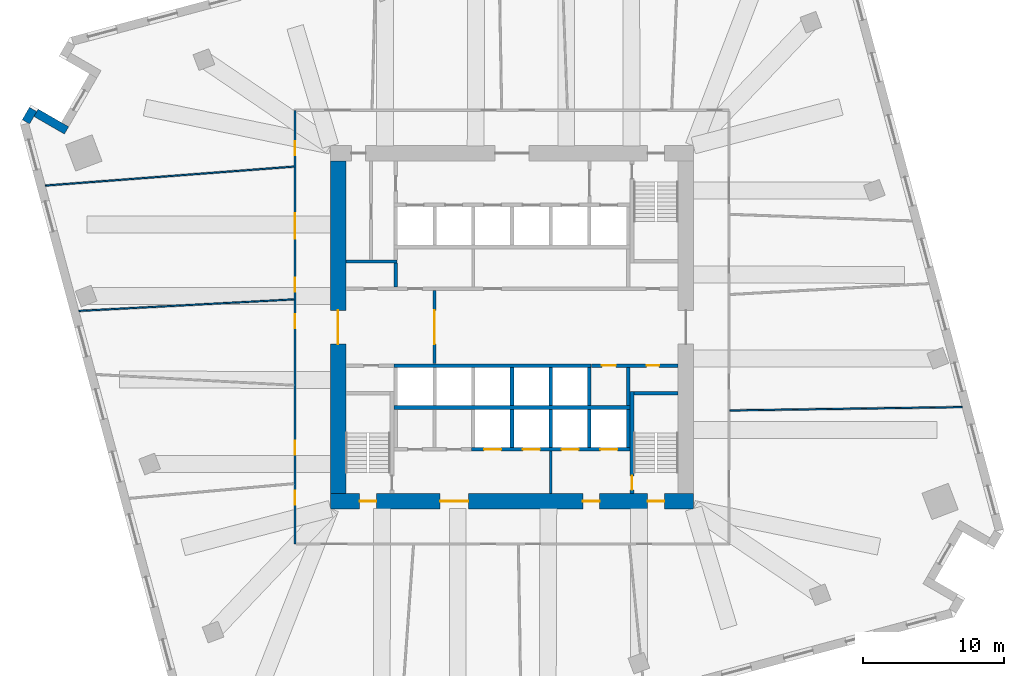
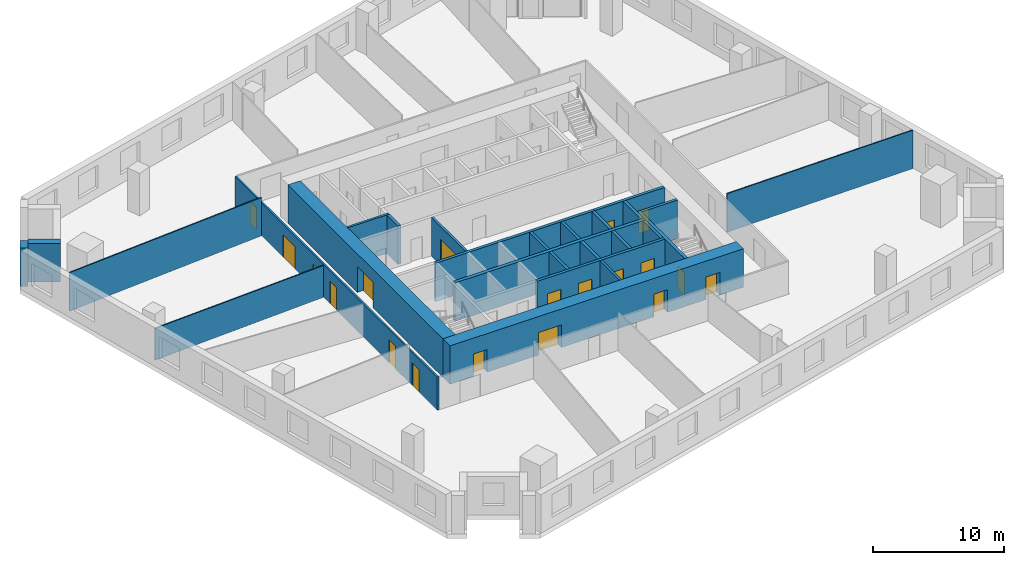
# One storey, part 5 of 11: 26 walls, 19 doors, 19 openings.
"""IFC4 building model written with IfcOpenShell, lengths in metres."""

from ifc_helpers import new_model, si_unit, direction, frame, frame_2d, origin, place, context, subcontext, project, spatial, rectangle, extrude, material, layer, layer_set, type_object, element, fill, save


model = new_model("IFC4")

# Units and contexts
model_context = context("Model", 3, precision=1e-05, world=origin(), true_north=direction((0.0, 1.0)))
body_context = subcontext(model_context, "Body", "Model", "MODEL_VIEW")
ifc_project = project(units=[si_unit("LENGTHUNIT", "METRE"), si_unit("AREAUNIT", "SQUARE_METRE"), si_unit("VOLUMEUNIT", "CUBIC_METRE"), si_unit("PLANEANGLEUNIT", "RADIAN"), si_unit("MASSUNIT", "GRAM", prefix="KILO")], contexts=[model_context])

# Site, building, storey
site_placement = place(None, origin())
site = spatial("IfcSite", under=ifc_project, at=site_placement, CompositionType="ELEMENT")
building_placement = place(site_placement, origin())
building = spatial("IfcBuilding", under=site, at=building_placement, Name="Dilmun Exchange Tower", CompositionType="ELEMENT")
storey_placement = place(building_placement, frame((0.0, 0.0, 82.10009765625)))
storey = spatial("IfcBuildingStorey", under=building, at=storey_placement, Name="L18", CompositionType="ELEMENT", Elevation=82.10009765625)

# Wall
ifc_material_1 = material(Name="Concrete C40/50", Category="concrete")
ifc_layer_1 = layer(ifc_material_1, 0.199951171875)
ifc_layer_set_1 = layer_set([ifc_layer_1], Name="Concrete C40/50")
wall_type_1 = type_object("IfcWallType", Name="Core partition wall 200", PredefinedType="PARTITIONING", material=ifc_layer_set_1)
wall_1_placement = place(storey_placement, frame((2.75, -11.794921875, 0.0), z_axis=(0.0, 0.0, 1.0), x_axis=(0.0, 1.0, 0.0)))
element("IfcWall", 1, at=wall_1_placement, inside=storey, type_object=wall_type_1, Name="L18 core partition wall 01", PredefinedType="PARTITIONING", context=body_context, shape_type="SweptSolid", body=[
    extrude(rectangle(XDim=2.989990234375, YDim=0.199951171875, at=frame_2d((1.4951171875, 0.0))), origin(), (0.0, 0.0, 1.0), 3.579833984375),
])

# Wall, opening, door
wall_2_placement = place(storey_placement, frame((-5.5, -2.594970703125, 0.0), z_axis=(0.0, 0.0, 1.0), x_axis=(0.0, 1.0, 0.0)))
wall_2 = element("IfcWall", 2, at=wall_2_placement, inside=storey, type_object=wall_type_1, Name="L18 core partition wall 08", PredefinedType="PARTITIONING", context=body_context, shape_type="SweptSolid", body=[
    extrude(rectangle(XDim=5.18994140625, YDim=0.199951171875, at=frame_2d((2.594970703125, 0.0))), origin(), (0.0, 0.0, 1.0), 3.579833984375),
])
opening_1_placement = place(wall_2_placement, frame((1.39501953125, 0.0, 0.0)))
opening_1 = element("IfcOpeningElement", 3, at=opening_1_placement, cuts=wall_2, Name="Opening CD1", PredefinedType="OPENING", context=body_context, shape_type="SweptSolid", body=[
    extrude(rectangle(XDim=2.39990234375, YDim=2.39990234375, at=frame_2d((1.199951171875, 1.199951171875))), frame((0.0, 0.10986328125, 0.0), z_axis=(0.0, -1.0, 0.0), x_axis=(1.0, 0.0, 0.0)), (0.0, 0.0, 1.0), 0.219970703125),
])
ifc_material_2 = material(Name="Fire-rated steel door set", Category="steel")
door_type_1 = type_object("IfcDoorType", Name="Core lobby door 2400x2400", OperationType="DOUBLE_DOOR_DOUBLE_SWING", PredefinedType="DOOR", material=ifc_material_2)
door_1_placement = place(opening_1_placement, origin())
door_1 = element("IfcDoor", 4, at=door_1_placement, inside=storey, type_object=door_type_1, Name="L18 door Lift lobby east", OperationType="SINGLE_SWING_LEFT", OverallHeight=2.39990234375, OverallWidth=2.39990234375, PredefinedType="DOOR", context=body_context, shape_type="SweptSolid", body=[
    extrude(rectangle(XDim=2.39990234375, YDim=2.39990234375, at=frame_2d((1.199951171875, 1.199951171875))), frame((0.0, 0.02490234375, 0.0), z_axis=(0.0, -1.0, 0.0), x_axis=(1.0, 0.0, 0.0)), (0.0, 0.0, 1.0), 0.050048828125),
])
fill(opening_1, door_1)

# Walls
wall_3_placement = place(storey_placement, frame((-11.794921875, 4.675048828125, 0.0), z_axis=(0.0, 0.0, 1.0), x_axis=(1.0, 0.0, 0.0)))
element("IfcWall", 5, at=wall_3_placement, inside=storey, type_object=wall_type_1, Name="L18 core partition wall 13", PredefinedType="PARTITIONING", context=body_context, shape_type="SweptSolid", body=[
    extrude(rectangle(XDim=3.64501953125, YDim=0.199951171875, at=frame_2d((1.822509765625, 0.0))), origin(), (0.0, 0.0, 1.0), 3.579833984375),
])
ifc_layer_2 = layer(ifc_material_1, 0.25)
ifc_layer_set_2 = layer_set([ifc_layer_2], Name="Concrete C40/50")
wall_type_2 = type_object("IfcWallType", Name="Core partition wall 250", PredefinedType="PARTITIONING", material=ifc_layer_set_2)
wall_4_placement = place(storey_placement, frame((8.25, -5.544921875, 0.0), z_axis=(0.0, 0.0, 1.0), x_axis=(0.0, 1.0, 0.0)))
element("IfcWall", 6, at=wall_4_placement, inside=storey, type_object=wall_type_2, Name="L18 core partition wall 05", PredefinedType="PARTITIONING", context=body_context, shape_type="SweptSolid", body=[
    extrude(rectangle(XDim=2.68994140625, YDim=0.25, at=frame_2d((1.344970703125, 0.0))), origin(), (0.0, 0.0, 1.0), 3.579833984375),
])

# Wall, openings, doors
wall_5_placement = place(storey_placement, frame((5.6298828125, -2.72509765625, 0.0), z_axis=(0.0, 0.0, 1.0), x_axis=(1.0, 0.0, 0.0)))
wall_5 = element("IfcWall", 7, at=wall_5_placement, inside=storey, type_object=wall_type_2, Name="L18 core partition wall 07", PredefinedType="PARTITIONING", context=body_context, shape_type="SweptSolid", body=[
    extrude(rectangle(XDim=6.1650390625, YDim=0.25, at=frame_2d((3.08251953125, 0.0))), origin(), (0.0, 0.0, 1.0), 3.579833984375),
])
opening_2_placement = place(wall_5_placement, frame((0.7451171875, 0.0, 0.0)))
opening_2 = element("IfcOpeningElement", 8, at=opening_2_placement, cuts=wall_5, Name="Opening CD4", PredefinedType="OPENING", context=body_context, shape_type="SweptSolid", body=[
    extrude(rectangle(XDim=1.0, YDim=2.10009765625, at=frame_2d((0.5, 1.050048828125))), frame((0.0, 0.135009765625, 0.0), z_axis=(0.0, -1.0, 0.0), x_axis=(1.0, 0.0, 0.0)), (0.0, 0.0, 1.0), 0.27001953125),
])
opening_3_placement = place(wall_5_placement, frame((3.919921875, 0.0, 0.0)))
opening_3 = element("IfcOpeningElement", 9, at=opening_3_placement, cuts=wall_5, Name="Opening CD6", PredefinedType="OPENING", context=body_context, shape_type="SweptSolid", body=[
    extrude(rectangle(XDim=0.89990234375, YDim=2.10009765625, at=frame_2d((0.449951171875, 1.050048828125))), frame((0.0, 0.135009765625, 0.0), z_axis=(0.0, -1.0, 0.0), x_axis=(1.0, 0.0, 0.0)), (0.0, 0.0, 1.0), 0.27001953125),
])
door_type_2 = type_object("IfcDoorType", Name="Core room door 1000x2100", OperationType="SINGLE_SWING_LEFT", PredefinedType="DOOR", material=ifc_material_2)
door_2_placement = place(opening_2_placement, origin())
door_2 = element("IfcDoor", 10, at=door_2_placement, inside=storey, type_object=door_type_2, Name="L18 door Cleaners' store", OperationType="SINGLE_SWING_LEFT", OverallHeight=2.10009765625, OverallWidth=1.0, PredefinedType="DOOR", context=body_context, shape_type="SweptSolid", body=[
    extrude(rectangle(XDim=1.0, YDim=2.10009765625, at=frame_2d((0.5, 1.050048828125))), frame((0.0, 0.02490234375, 0.0), z_axis=(0.0, -1.0, 0.0), x_axis=(1.0, 0.0, 0.0)), (0.0, 0.0, 1.0), 0.050048828125),
])
fill(opening_2, door_2)
door_type_3 = type_object("IfcDoorType", Name="Core room door 900x2100", OperationType="SINGLE_SWING_LEFT", PredefinedType="DOOR", material=ifc_material_2)
door_3_placement = place(opening_3_placement, origin())
door_3 = element("IfcDoor", 11, at=door_3_placement, inside=storey, type_object=door_type_3, Name="L18 door Comms riser", OperationType="SINGLE_SWING_LEFT", OverallHeight=2.10009765625, OverallWidth=0.89990234375, PredefinedType="DOOR", context=body_context, shape_type="SweptSolid", body=[
    extrude(rectangle(XDim=0.89990234375, YDim=2.10009765625, at=frame_2d((0.449951171875, 1.050048828125))), frame((0.0, 0.02490234375, 0.0), z_axis=(0.0, -1.0, 0.0), x_axis=(1.0, 0.0, 0.0)), (0.0, 0.0, 1.0), 0.050048828125),
])
fill(opening_3, door_3)

# Wall
wall_6_placement = place(storey_placement, frame((-8.25, 2.85498046875, 0.0), z_axis=(0.0, 0.0, 1.0), x_axis=(0.0, 1.0, 0.0)))
element("IfcWall", 12, at=wall_6_placement, inside=storey, type_object=wall_type_2, Name="L18 core partition wall 10", PredefinedType="PARTITIONING", context=body_context, shape_type="SweptSolid", body=[
    extrude(rectangle(XDim=1.715087890625, YDim=0.25, at=frame_2d((0.857421875, 0.0))), origin(), (0.0, 0.0, 1.0), 3.579833984375),
])

# Wall, openings, doors
ifc_material_3 = material(Name="Concrete C80/95", Category="concrete")
ifc_layer_3 = layer(ifc_material_3, 1.10009765625)
ifc_layer_set_3 = layer_set([ifc_layer_3], Name="Concrete C80/95")
wall_type_3 = type_object("IfcWallType", Name="Core shear wall 1100 Concrete C80/95", PredefinedType="SHEAR", material=ifc_layer_set_3)
wall_7_placement = place(storey_placement, frame((-12.89990234375, -12.35009765625, 0.0), z_axis=(0.0, 0.0, 1.0), x_axis=(1.0, 0.0, 0.0)))
wall_7 = element("IfcWall", 13, at=wall_7_placement, inside=storey, type_object=wall_type_3, Name="L18 core shear wall S", PredefinedType="SHEAR", context=body_context, shape_type="SweptSolid", body=[
    extrude(rectangle(XDim=25.7998046875, YDim=1.10009765625, at=frame_2d((12.89990234375, 0.0))), origin(), (0.0, 0.0, 1.0), 3.579833984375),
])
opening_4_placement = place(wall_7_placement, frame((7.800048828125, 0.0, 0.0)))
opening_4 = element("IfcOpeningElement", 14, at=opening_4_placement, cuts=wall_7, Name="Opening CD2", PredefinedType="OPENING", context=body_context, shape_type="SweptSolid", body=[
    extrude(rectangle(XDim=2.0, YDim=2.10009765625, at=frame_2d((1.0, 1.050048828125))), frame((0.0, 0.56005859375, 0.0), z_axis=(0.0, -1.0, 0.0), x_axis=(1.0, 0.0, 0.0)), (0.0, 0.0, 1.0), 1.1201171875),
])
opening_5_placement = place(wall_7_placement, frame((17.925048828125, 0.0, 0.0)))
opening_5 = element("IfcOpeningElement", 15, at=opening_5_placement, cuts=wall_7, Name="Opening CD3", PredefinedType="OPENING", context=body_context, shape_type="SweptSolid", body=[
    extrude(rectangle(XDim=1.199951171875, YDim=2.10009765625, at=frame_2d((0.60009765625, 1.050048828125))), frame((0.0, 0.56005859375, 0.0), z_axis=(0.0, -1.0, 0.0), x_axis=(1.0, 0.0, 0.0)), (0.0, 0.0, 1.0), 1.1201171875),
])
opening_6_placement = place(wall_7_placement, frame((2.074951171875, 0.0, 0.0)))
opening_6 = element("IfcOpeningElement", 16, at=opening_6_placement, cuts=wall_7, Name="Opening CD3", PredefinedType="OPENING", context=body_context, shape_type="SweptSolid", body=[
    extrude(rectangle(XDim=1.199951171875, YDim=2.10009765625, at=frame_2d((0.60009765625, 1.050048828125))), frame((0.0, 0.56005859375, 0.0), z_axis=(0.0, -1.0, 0.0), x_axis=(1.0, 0.0, 0.0)), (0.0, 0.0, 1.0), 1.1201171875),
])
opening_7_placement = place(wall_7_placement, frame((22.52490234375, 0.0, 0.0)))
opening_7 = element("IfcOpeningElement", 17, at=opening_7_placement, cuts=wall_7, Name="Opening CD3", PredefinedType="OPENING", context=body_context, shape_type="SweptSolid", body=[
    extrude(rectangle(XDim=1.199951171875, YDim=2.10009765625, at=frame_2d((0.60009765625, 1.050048828125))), frame((0.0, 0.56005859375, 0.0), z_axis=(0.0, -1.0, 0.0), x_axis=(1.0, 0.0, 0.0)), (0.0, 0.0, 1.0), 1.1201171875),
])
door_type_4 = type_object("IfcDoorType", Name="Core service door 2000x2100", OperationType="DOUBLE_DOOR_DOUBLE_SWING", PredefinedType="DOOR", material=ifc_material_2)
door_4_placement = place(opening_4_placement, origin())
door_4 = element("IfcDoor", 18, at=door_4_placement, inside=storey, type_object=door_type_4, Name="L18 door South service lobby", OperationType="SINGLE_SWING_LEFT", OverallHeight=2.10009765625, OverallWidth=2.0, PredefinedType="DOOR", context=body_context, shape_type="SweptSolid", body=[
    extrude(rectangle(XDim=2.0, YDim=2.10009765625, at=frame_2d((1.0, 1.050048828125))), frame((0.0, 0.02490234375, 0.0), z_axis=(0.0, -1.0, 0.0), x_axis=(1.0, 0.0, 0.0)), (0.0, 0.0, 1.0), 0.050048828125),
])
fill(opening_4, door_4)
door_type_5 = type_object("IfcDoorType", Name="Stair exit door 1200x2100", OperationType="SINGLE_SWING_LEFT", PredefinedType="DOOR", material=ifc_material_2)
door_5_placement = place(opening_5_placement, origin())
door_5 = element("IfcDoor", 19, at=door_5_placement, inside=storey, type_object=door_type_5, Name="L18 door Fire-fighting lobby", OperationType="SINGLE_SWING_LEFT", OverallHeight=2.10009765625, OverallWidth=1.199951171875, PredefinedType="DOOR", context=body_context, shape_type="SweptSolid", body=[
    extrude(rectangle(XDim=1.199951171875, YDim=2.10009765625, at=frame_2d((0.60009765625, 1.050048828125))), frame((0.0, 0.02490234375, 0.0), z_axis=(0.0, -1.0, 0.0), x_axis=(1.0, 0.0, 0.0)), (0.0, 0.0, 1.0), 0.050048828125),
])
fill(opening_5, door_5)
door_6_placement = place(opening_6_placement, origin())
door_6 = element("IfcDoor", 20, at=door_6_placement, inside=storey, type_object=door_type_5, Name="L18 door Stair ST2", OperationType="SINGLE_SWING_LEFT", OverallHeight=2.10009765625, OverallWidth=1.199951171875, PredefinedType="DOOR", context=body_context, shape_type="SweptSolid", body=[
    extrude(rectangle(XDim=1.199951171875, YDim=2.10009765625, at=frame_2d((0.60009765625, 1.050048828125))), frame((0.0, 0.02490234375, 0.0), z_axis=(0.0, -1.0, 0.0), x_axis=(1.0, 0.0, 0.0)), (0.0, 0.0, 1.0), 0.050048828125),
])
fill(opening_6, door_6)
door_7_placement = place(opening_7_placement, origin())
door_7 = element("IfcDoor", 21, at=door_7_placement, inside=storey, type_object=door_type_5, Name="L18 door Stair ST3", OperationType="SINGLE_SWING_LEFT", OverallHeight=2.10009765625, OverallWidth=1.199951171875, PredefinedType="DOOR", context=body_context, shape_type="SweptSolid", body=[
    extrude(rectangle(XDim=1.199951171875, YDim=2.10009765625, at=frame_2d((0.60009765625, 1.050048828125))), frame((0.0, 0.02490234375, 0.0), z_axis=(0.0, -1.0, 0.0), x_axis=(1.0, 0.0, 0.0)), (0.0, 0.0, 1.0), 0.050048828125),
])
fill(opening_7, door_7)

# Wall, opening, door
wall_8_placement = place(storey_placement, frame((-12.35009765625, -11.800048828125, 0.0), z_axis=(0.0, 0.0, 1.0), x_axis=(0.0, 1.0, 0.0)))
wall_8 = element("IfcWall", 22, at=wall_8_placement, inside=storey, type_object=wall_type_3, Name="L18 core shear wall W", PredefinedType="SHEAR", context=body_context, shape_type="SweptSolid", body=[
    extrude(rectangle(XDim=23.60009765625, YDim=1.10009765625, at=frame_2d((11.800048828125, 0.0))), origin(), (0.0, 0.0, 1.0), 3.579833984375),
])
opening_8_placement = place(wall_8_placement, frame((10.60009765625, 0.0, 0.0)))
opening_8 = element("IfcOpeningElement", 23, at=opening_8_placement, cuts=wall_8, Name="Opening CD1", PredefinedType="OPENING", context=body_context, shape_type="SweptSolid", body=[
    extrude(rectangle(XDim=2.39990234375, YDim=2.39990234375, at=frame_2d((1.199951171875, 1.199951171875))), frame((0.0, 0.56005859375, 0.0), z_axis=(0.0, -1.0, 0.0), x_axis=(1.0, 0.0, 0.0)), (0.0, 0.0, 1.0), 1.1201171875),
])
door_8_placement = place(opening_8_placement, origin())
door_8 = element("IfcDoor", 24, at=door_8_placement, inside=storey, type_object=door_type_1, Name="L18 door Central lift lobby", OperationType="SINGLE_SWING_LEFT", OverallHeight=2.39990234375, OverallWidth=2.39990234375, PredefinedType="DOOR", context=body_context, shape_type="SweptSolid", body=[
    extrude(rectangle(XDim=2.39990234375, YDim=2.39990234375, at=frame_2d((1.199951171875, 1.199951171875))), frame((0.0, 0.02490234375, 0.0), z_axis=(0.0, -1.0, 0.0), x_axis=(1.0, 0.0, 0.0)), (0.0, 0.0, 1.0), 0.050048828125),
])
fill(opening_8, door_8)

# Wall, openings, doors
ifc_material_4 = material(Name="Corridor wall 150")
ifc_layer_4 = layer(ifc_material_4, 0.14990234375)
ifc_layer_set_4 = layer_set([ifc_layer_4], Name="Corridor wall 150")
wall_type_4 = type_object("IfcWallType", Name="Corridor wall 150", PredefinedType="PARTITIONING", material=ifc_layer_set_4)
wall_9_placement = place(storey_placement, frame((-15.39990234375, -15.39990234375, 0.0), z_axis=(0.0, 0.0, 1.0), x_axis=(0.0, 1.0, 0.0)))
wall_9 = element("IfcWall", 25, at=wall_9_placement, inside=storey, type_object=wall_type_4, Name="Corridor wall", PredefinedType="PARTITIONING", context=body_context, shape_type="SweptSolid", body=[
    extrude(rectangle(XDim=30.7998046875, YDim=0.14990234375, at=frame_2d((15.39990234375, 0.0))), origin(), (0.0, 0.0, 1.0), 3.079833984375),
])
opening_9_placement = place(wall_9_placement, frame((21.677001953125, 0.0, 0.0)))
opening_9 = element("IfcOpeningElement", 26, at=opening_9_placement, cuts=wall_9, Name="Opening TF18-D01", PredefinedType="OPENING", context=body_context, shape_type="SweptSolid", body=[
    extrude(rectangle(XDim=1.800048828125, YDim=2.10009765625, at=frame_2d((0.89990234375, 1.050048828125))), frame((0.0, 0.0849609375, 0.0), z_axis=(0.0, -1.0, 0.0), x_axis=(1.0, 0.0, 0.0)), (0.0, 0.0, 1.0), 0.169921875),
])
opening_10_placement = place(wall_9_placement, frame((17.927001953125, 0.0, 0.0)))
opening_10 = element("IfcOpeningElement", 27, at=opening_10_placement, cuts=wall_9, Name="Opening TF18-D02", PredefinedType="OPENING", context=body_context, shape_type="SweptSolid", body=[
    extrude(rectangle(XDim=1.0, YDim=2.10009765625, at=frame_2d((0.5, 1.050048828125))), frame((0.0, 0.0849609375, 0.0), z_axis=(0.0, -1.0, 0.0), x_axis=(1.0, 0.0, 0.0)), (0.0, 0.0, 1.0), 0.169921875),
])
opening_11_placement = place(wall_9_placement, frame((15.32177734375, 0.0, 0.0)))
opening_11 = element("IfcOpeningElement", 28, at=opening_11_placement, cuts=wall_9, Name="Opening TF18-D03", PredefinedType="OPENING", context=body_context, shape_type="SweptSolid", body=[
    extrude(rectangle(XDim=1.0, YDim=2.10009765625, at=frame_2d((0.5, 1.050048828125))), frame((0.0, 0.0849609375, 0.0), z_axis=(0.0, -1.0, 0.0), x_axis=(1.0, 0.0, 0.0)), (0.0, 0.0, 1.0), 0.169921875),
])
opening_12_placement = place(wall_9_placement, frame((6.34765625, 0.0, 0.0)))
opening_12 = element("IfcOpeningElement", 29, at=opening_12_placement, cuts=wall_9, Name="Opening TF18-D04", PredefinedType="OPENING", context=body_context, shape_type="SweptSolid", body=[
    extrude(rectangle(XDim=1.0, YDim=2.10009765625, at=frame_2d((0.5, 1.050048828125))), frame((0.0, 0.0849609375, 0.0), z_axis=(0.0, -1.0, 0.0), x_axis=(1.0, 0.0, 0.0)), (0.0, 0.0, 1.0), 0.169921875),
])
opening_13_placement = place(wall_9_placement, frame((27.605224609375, 0.0, 0.0)))
opening_13 = element("IfcOpeningElement", 30, at=opening_13_placement, cuts=wall_9, Name="Opening TF18-D06", PredefinedType="OPENING", context=body_context, shape_type="SweptSolid", body=[
    extrude(rectangle(XDim=1.0, YDim=2.10009765625, at=frame_2d((0.5, 1.050048828125))), frame((0.0, 0.0849609375, 0.0), z_axis=(0.0, -1.0, 0.0), x_axis=(1.0, 0.0, 0.0)), (0.0, 0.0, 1.0), 0.169921875),
])
opening_14_placement = place(wall_9_placement, frame((2.800048828125, 0.0, 0.0)))
opening_14 = element("IfcOpeningElement", 31, at=opening_14_placement, cuts=wall_9, Name="Opening TF18-D08", PredefinedType="OPENING", context=body_context, shape_type="SweptSolid", body=[
    extrude(rectangle(XDim=1.0, YDim=2.10009765625, at=frame_2d((0.5, 1.050048828125))), frame((0.0, 0.0849609375, 0.0), z_axis=(0.0, -1.0, 0.0), x_axis=(1.0, 0.0, 0.0)), (0.0, 0.0, 1.0), 0.169921875),
])
ifc_material_5 = material(Name="Fire door 1000 x 2100")
door_type_6 = type_object("IfcDoorType", Name="Fire door 1000 x 2100", OperationType="NOTDEFINED", PredefinedType="DOOR", material=ifc_material_5)
door_9_placement = place(opening_10_placement, origin())
door_9 = element("IfcDoor", 32, at=door_9_placement, inside=storey, type_object=door_type_6, Name="Door TF18-D02", OperationType="SINGLE_SWING_RIGHT", OverallHeight=2.10009765625, OverallWidth=1.0, PredefinedType="DOOR", context=body_context, shape_type="SweptSolid", body=[
    extrude(rectangle(XDim=1.0, YDim=2.10009765625, at=frame_2d((0.5, 1.050048828125))), frame((0.0, 0.02490234375, 0.0), z_axis=(0.0, -1.0, 0.0), x_axis=(1.0, 0.0, 0.0)), (0.0, 0.0, 1.0), 0.050048828125),
])
fill(opening_10, door_9)
door_10_placement = place(opening_11_placement, origin())
door_10 = element("IfcDoor", 33, at=door_10_placement, inside=storey, type_object=door_type_6, Name="Door TF18-D03", OperationType="SINGLE_SWING_LEFT", OverallHeight=2.10009765625, OverallWidth=1.0, PredefinedType="DOOR", context=body_context, shape_type="SweptSolid", body=[
    extrude(rectangle(XDim=1.0, YDim=2.10009765625, at=frame_2d((0.5, 1.050048828125))), frame((0.0, 0.02490234375, 0.0), z_axis=(0.0, -1.0, 0.0), x_axis=(1.0, 0.0, 0.0)), (0.0, 0.0, 1.0), 0.050048828125),
])
fill(opening_11, door_10)
door_11_placement = place(opening_12_placement, origin())
door_11 = element("IfcDoor", 34, at=door_11_placement, inside=storey, type_object=door_type_6, Name="Door TF18-D04", OperationType="SINGLE_SWING_RIGHT", OverallHeight=2.10009765625, OverallWidth=1.0, PredefinedType="DOOR", context=body_context, shape_type="SweptSolid", body=[
    extrude(rectangle(XDim=1.0, YDim=2.10009765625, at=frame_2d((0.5, 1.050048828125))), frame((0.0, 0.02490234375, 0.0), z_axis=(0.0, -1.0, 0.0), x_axis=(1.0, 0.0, 0.0)), (0.0, 0.0, 1.0), 0.050048828125),
])
fill(opening_12, door_11)
door_12_placement = place(opening_13_placement, origin())
door_12 = element("IfcDoor", 35, at=door_12_placement, inside=storey, type_object=door_type_6, Name="Door TF18-D06", OperationType="SINGLE_SWING_RIGHT", OverallHeight=2.10009765625, OverallWidth=1.0, PredefinedType="DOOR", context=body_context, shape_type="SweptSolid", body=[
    extrude(rectangle(XDim=1.0, YDim=2.10009765625, at=frame_2d((0.5, 1.050048828125))), frame((0.0, 0.02490234375, 0.0), z_axis=(0.0, -1.0, 0.0), x_axis=(1.0, 0.0, 0.0)), (0.0, 0.0, 1.0), 0.050048828125),
])
fill(opening_13, door_12)
door_13_placement = place(opening_14_placement, origin())
door_13 = element("IfcDoor", 36, at=door_13_placement, inside=storey, type_object=door_type_6, Name="Door TF18-D08", OperationType="SINGLE_SWING_LEFT", OverallHeight=2.10009765625, OverallWidth=1.0, PredefinedType="DOOR", context=body_context, shape_type="SweptSolid", body=[
    extrude(rectangle(XDim=1.0, YDim=2.10009765625, at=frame_2d((0.5, 1.050048828125))), frame((0.0, 0.02490234375, 0.0), z_axis=(0.0, -1.0, 0.0), x_axis=(1.0, 0.0, 0.0)), (0.0, 0.0, 1.0), 0.050048828125),
])
fill(opening_14, door_13)
ifc_material_6 = material(Name="Fire door pair 1800 x 2100")
door_type_7 = type_object("IfcDoorType", Name="Fire door pair 1800 x 2100", OperationType="NOTDEFINED", PredefinedType="DOOR", material=ifc_material_6)
door_14_placement = place(opening_9_placement, origin())
door_14 = element("IfcDoor", 37, at=door_14_placement, inside=storey, type_object=door_type_7, Name="Door TF18-D01", OperationType="DOUBLE_DOOR_SINGLE_SWING", OverallHeight=2.10009765625, OverallWidth=1.800048828125, PredefinedType="DOOR", context=body_context, shape_type="SweptSolid", body=[
    extrude(rectangle(XDim=1.800048828125, YDim=2.10009765625, at=frame_2d((0.89990234375, 1.050048828125))), frame((0.0, 0.02490234375, 0.0), z_axis=(0.0, -1.0, 0.0), x_axis=(1.0, 0.0, 0.0)), (0.0, 0.0, 1.0), 0.050048828125),
])
fill(opening_9, door_14)

# Walls
ifc_layer_5 = layer(ifc_material_1, 0.300048828125)
ifc_layer_set_5 = layer_set([ifc_layer_5], Name="Concrete C40/50")
wall_type_5 = type_object("IfcWallType", Name="Lift shaft shared wall 300", PredefinedType="SOLIDWALL", material=ifc_layer_set_5)
wall_10_placement = place(storey_placement, frame((-8.375, -5.699951171875, 0.0), z_axis=(0.0, 0.0, 1.0), x_axis=(1.0, 0.0, 0.0)))
element("IfcWall", 38, at=wall_10_placement, inside=storey, type_object=wall_type_5, Name="L18 lift shaft rear wall S", PredefinedType="SOLIDWALL", context=body_context, shape_type="SweptSolid", body=[
    extrude(rectangle(XDim=16.75, YDim=0.300048828125, at=frame_2d((8.375, 0.0))), origin(), (0.0, 0.0, 1.0), 3.579833984375),
])
ifc_layer_6 = layer(ifc_material_1, 0.25)
ifc_layer_set_6 = layer_set([ifc_layer_6], Name="Concrete C40/50")
wall_type_6 = type_object("IfcWallType", Name="Lift shaft wall 250", PredefinedType="SOLIDWALL", material=ifc_layer_set_6)
wall_11_placement = place(storey_placement, frame((-8.375, -2.72509765625, 0.0), z_axis=(0.0, 0.0, 1.0), x_axis=(1.0, 0.0, 0.0)))
element("IfcWall", 39, at=wall_11_placement, inside=storey, type_object=wall_type_6, Name="L18 lift shaft front wall S1", PredefinedType="SOLIDWALL", context=body_context, shape_type="SweptSolid", body=[
    extrude(rectangle(XDim=14.0, YDim=0.25, at=frame_2d((7.0, 0.0))), origin(), (0.0, 0.0, 1.0), 3.579833984375),
])
for number, where, z_axis, x_axis, name in (
    (40, (0.0, -5.550048828125, 0.0), (0.0, 0.0, 1.0), (0.0, 1.0, 0.0), "L18 lift shaft divider S13"),
    (41, (2.75, -5.550048828125, 0.0), (0.0, 0.0, 1.0), (0.0, 1.0, 0.0), "L18 lift shaft divider S14"),
    (42, (5.5, -5.550048828125, 0.0), (0.0, 0.0, 1.0), (0.0, 1.0, 0.0), "L18 lift shaft divider S15"),
):
    element("IfcWall", number, at=place(storey_placement, frame(where, z_axis=z_axis, x_axis=x_axis)), inside=storey, type_object=wall_type_6, Name=name, PredefinedType="SOLIDWALL", context=body_context, shape_type="SweptSolid", body=[
        extrude(rectangle(XDim=2.699951171875, YDim=0.25, at=frame_2d((1.35009765625, 0.0))), origin(), (0.0, 0.0, 1.0), 3.579833984375),
    ])

# Wall, openings, doors
wall_12_placement = place(storey_placement, frame((-2.875, -8.675048828125, 0.0), z_axis=(0.0, 0.0, 1.0), x_axis=(1.0, 0.0, 0.0)))
wall_12 = element("IfcWall", 43, at=wall_12_placement, inside=storey, type_object=wall_type_6, Name="L18 lift shaft front wall S2", PredefinedType="SOLIDWALL", context=body_context, shape_type="SweptSolid", body=[
    extrude(rectangle(XDim=11.25, YDim=0.25, at=frame_2d((5.625, 0.0))), origin(), (0.0, 0.0, 1.0), 3.579833984375),
])
opening_15_placement = place(wall_12_placement, frame((0.89990234375, 0.0, 0.0)))
opening_15 = element("IfcOpeningElement", 44, at=opening_15_placement, cuts=wall_12, Name="Opening LD", PredefinedType="OPENING", context=body_context, shape_type="SweptSolid", body=[
    extrude(rectangle(XDim=1.199951171875, YDim=2.10009765625, at=frame_2d((0.60009765625, 1.050048828125))), frame((0.0, 0.135009765625, 0.0), z_axis=(0.0, -1.0, 0.0), x_axis=(1.0, 0.0, 0.0)), (0.0, 0.0, 1.0), 0.27001953125),
])
opening_16_placement = place(wall_12_placement, frame((3.64990234375, 0.0, 0.0)))
opening_16 = element("IfcOpeningElement", 45, at=opening_16_placement, cuts=wall_12, Name="Opening LD", PredefinedType="OPENING", context=body_context, shape_type="SweptSolid", body=[
    extrude(rectangle(XDim=1.199951171875, YDim=2.10009765625, at=frame_2d((0.60009765625, 1.050048828125))), frame((0.0, 0.135009765625, 0.0), z_axis=(0.0, -1.0, 0.0), x_axis=(1.0, 0.0, 0.0)), (0.0, 0.0, 1.0), 0.27001953125),
])
opening_17_placement = place(wall_12_placement, frame((6.39990234375, 0.0, 0.0)))
opening_17 = element("IfcOpeningElement", 46, at=opening_17_placement, cuts=wall_12, Name="Opening LD", PredefinedType="OPENING", context=body_context, shape_type="SweptSolid", body=[
    extrude(rectangle(XDim=1.199951171875, YDim=2.10009765625, at=frame_2d((0.60009765625, 1.050048828125))), frame((0.0, 0.135009765625, 0.0), z_axis=(0.0, -1.0, 0.0), x_axis=(1.0, 0.0, 0.0)), (0.0, 0.0, 1.0), 0.27001953125),
])
opening_18_placement = place(wall_12_placement, frame((9.14990234375, 0.0, 0.0)))
opening_18 = element("IfcOpeningElement", 47, at=opening_18_placement, cuts=wall_12, Name="Opening LD", PredefinedType="OPENING", context=body_context, shape_type="SweptSolid", body=[
    extrude(rectangle(XDim=1.199951171875, YDim=2.10009765625, at=frame_2d((0.60009765625, 1.050048828125))), frame((0.0, 0.135009765625, 0.0), z_axis=(0.0, -1.0, 0.0), x_axis=(1.0, 0.0, 0.0)), (0.0, 0.0, 1.0), 0.27001953125),
])
door_type_8 = type_object("IfcDoorType", Name="Lift landing door 1200x2100", OperationType="DOUBLE_DOOR_SLIDING", PredefinedType="DOOR", material=ifc_material_2)
door_15_placement = place(opening_15_placement, origin())
door_15 = element("IfcDoor", 48, at=door_15_placement, inside=storey, type_object=door_type_8, Name="L18 landing door SV1", OperationType="DOUBLE_DOOR_SLIDING", OverallHeight=2.10009765625, OverallWidth=1.199951171875, PredefinedType="DOOR", context=body_context, shape_type="SweptSolid", body=[
    extrude(rectangle(XDim=1.199951171875, YDim=2.10009765625, at=frame_2d((0.60009765625, 1.050048828125))), frame((0.0, 0.02490234375, 0.0), z_axis=(0.0, -1.0, 0.0), x_axis=(1.0, 0.0, 0.0)), (0.0, 0.0, 1.0), 0.050048828125),
])
fill(opening_15, door_15)
door_16_placement = place(opening_16_placement, origin())
door_16 = element("IfcDoor", 49, at=door_16_placement, inside=storey, type_object=door_type_8, Name="L18 landing door SV2", OperationType="DOUBLE_DOOR_SLIDING", OverallHeight=2.10009765625, OverallWidth=1.199951171875, PredefinedType="DOOR", context=body_context, shape_type="SweptSolid", body=[
    extrude(rectangle(XDim=1.199951171875, YDim=2.10009765625, at=frame_2d((0.60009765625, 1.050048828125))), frame((0.0, 0.02490234375, 0.0), z_axis=(0.0, -1.0, 0.0), x_axis=(1.0, 0.0, 0.0)), (0.0, 0.0, 1.0), 0.050048828125),
])
fill(opening_16, door_16)
door_17_placement = place(opening_17_placement, origin())
door_17 = element("IfcDoor", 50, at=door_17_placement, inside=storey, type_object=door_type_8, Name="L18 landing door FF1", OperationType="DOUBLE_DOOR_SLIDING", OverallHeight=2.10009765625, OverallWidth=1.199951171875, PredefinedType="DOOR", context=body_context, shape_type="SweptSolid", body=[
    extrude(rectangle(XDim=1.199951171875, YDim=2.10009765625, at=frame_2d((0.60009765625, 1.050048828125))), frame((0.0, 0.02490234375, 0.0), z_axis=(0.0, -1.0, 0.0), x_axis=(1.0, 0.0, 0.0)), (0.0, 0.0, 1.0), 0.050048828125),
])
fill(opening_17, door_17)
door_18_placement = place(opening_18_placement, origin())
door_18 = element("IfcDoor", 51, at=door_18_placement, inside=storey, type_object=door_type_8, Name="L18 landing door FF2", OperationType="DOUBLE_DOOR_SLIDING", OverallHeight=2.10009765625, OverallWidth=1.199951171875, PredefinedType="DOOR", context=body_context, shape_type="SweptSolid", body=[
    extrude(rectangle(XDim=1.199951171875, YDim=2.10009765625, at=frame_2d((0.60009765625, 1.050048828125))), frame((0.0, 0.02490234375, 0.0), z_axis=(0.0, -1.0, 0.0), x_axis=(1.0, 0.0, 0.0)), (0.0, 0.0, 1.0), 0.050048828125),
])
fill(opening_18, door_18)

# Walls
for number, where, z_axis, x_axis, name in (
    (52, (0.0, -8.550048828125, 0.0), (0.0, 0.0, 1.0), (0.0, 1.0, 0.0), "L18 lift shaft divider S23"),
    (53, (2.75, -8.550048828125, 0.0), (0.0, 0.0, 1.0), (0.0, 1.0, 0.0), "L18 lift shaft divider S24"),
    (54, (5.5, -8.550048828125, 0.0), (0.0, 0.0, 1.0), (0.0, 1.0, 0.0), "L18 lift shaft divider S25"),
    (55, (8.25, -8.550048828125, 0.0), (0.0, 0.0, 1.0), (0.0, 1.0, 0.0), "L18 lift shaft divider S26"),
):
    element("IfcWall", number, at=place(storey_placement, frame(where, z_axis=z_axis, x_axis=x_axis)), inside=storey, type_object=wall_type_6, Name=name, PredefinedType="SOLIDWALL", context=body_context, shape_type="SweptSolid", body=[
        extrude(rectangle(XDim=2.699951171875, YDim=0.25, at=frame_2d((1.35009765625, 0.0))), origin(), (0.0, 0.0, 1.0), 3.579833984375),
    ])
ifc_material_7 = material(Name="Partition 100")
ifc_layer_7 = layer(ifc_material_7, 0.10009765625)
ifc_layer_set_7 = layer_set([ifc_layer_7], Name="Partition 100")
wall_type_7 = type_object("IfcWallType", Name="Partition 100", PredefinedType="PARTITIONING", material=ifc_layer_set_7)
wall_13_placement = place(storey_placement, frame((-33.129150390625, 10.0546875, 0.0), z_axis=(0.0, 0.0, 1.0), x_axis=(0.997098857085, 0.076117469739, 0.0)))
element("IfcWall", 56, at=wall_13_placement, inside=storey, type_object=wall_type_7, Name="Partition", PredefinedType="PARTITIONING", context=body_context, shape_type="SweptSolid", body=[
    extrude(rectangle(XDim=17.70166015625, YDim=0.10009765625, at=frame_2d((8.850830078125, 0.0))), origin(), (0.0, 0.0, 1.0), 3.579833984375),
])
wall_14_placement = place(storey_placement, frame((-30.744384765625, 1.155029296875, 0.0), z_axis=(0.0, 0.0, 1.0), x_axis=(0.998561238881, 0.053623243142, 0.0)))
element("IfcWall", 57, at=wall_14_placement, inside=storey, type_object=wall_type_7, Name="Partition", PredefinedType="PARTITIONING", context=body_context, shape_type="SweptSolid", body=[
    extrude(rectangle(XDim=15.28857421875, YDim=0.10009765625, at=frame_2d((7.644287109375, 0.0))), origin(), (0.0, 0.0, 1.0), 2.9599609375),
])
wall_15_placement = place(storey_placement, frame((15.4755859375, -5.910888671875, 0.0), z_axis=(0.0, 0.0, 1.0), x_axis=(0.999893970636, 0.014561850324, 0.0)))
element("IfcWall", 58, at=wall_15_placement, inside=storey, type_object=wall_type_7, Name="Partition", PredefinedType="PARTITIONING", context=body_context, shape_type="SweptSolid", body=[
    extrude(rectangle(XDim=16.480712890625, YDim=0.10009765625, at=frame_2d((8.240234375, 0.0))), origin(), (0.0, 0.0, 1.0), 3.579833984375),
])
ifc_material_8 = material(Name="Precast concrete C50/60", Category="concrete")
ifc_layer_8 = layer(ifc_material_8, 0.60009765625)
ifc_layer_set_8 = layer_set([ifc_layer_8], Name="Precast concrete C50/60")
wall_type_8 = type_object("IfcWallType", Name="Precast stone-clad wall 600", PredefinedType="STANDARD", material=ifc_layer_set_8)
wall_16_placement = place(storey_placement, frame((-31.628173828125, 13.9716796875, 0.0), z_axis=(0.0, 0.0, 1.0), x_axis=(-0.866022959057, 0.500004234368, 0.0)))
element("IfcWall", 59, at=wall_16_placement, inside=storey, type_object=wall_type_8, Name="Facade wall L18-07", PredefinedType="STANDARD", context=body_context, shape_type="SweptSolid", body=[
    extrude(rectangle(XDim=2.5, YDim=0.60009765625, at=frame_2d((1.25, 0.0))), origin(), (0.0, 0.0, 1.0), 3.579833984375),
])
wall_17_placement = place(storey_placement, frame((-34.0029296875, 15.458251953125, 0.0), z_axis=(0.0, 0.0, 1.0), x_axis=(-0.500189113229, -0.865916191676, 0.0)))
element("IfcWall", 60, at=wall_17_placement, inside=storey, type_object=wall_type_8, Name="Facade wall L18-08", PredefinedType="STANDARD", context=body_context, shape_type="SweptSolid", body=[
    extrude(rectangle(XDim=1.01123046875, YDim=0.60009765625, at=frame_2d((0.505615234375, 0.0))), origin(), (0.0, 0.0, 1.0), 3.579833984375),
])
ifc_layer_9 = layer(ifc_material_1, 0.25)
ifc_layer_set_9 = layer_set([ifc_layer_9], Name="Concrete C40/50")
wall_type_9 = type_object("IfcWallType", Name="Stair end wall 250", PredefinedType="SOLIDWALL", material=ifc_layer_set_9)
wall_18_placement = place(storey_placement, frame((8.64990234375, -4.675048828125, 0.0), z_axis=(0.0, 0.0, 1.0), x_axis=(1.0, 0.0, 0.0)))
element("IfcWall", 61, at=wall_18_placement, inside=storey, type_object=wall_type_9, Name="L18 ST3 far wall", PredefinedType="SOLIDWALL", context=body_context, shape_type="SweptSolid", body=[
    extrude(rectangle(XDim=3.150146484375, YDim=0.25, at=frame_2d((1.5751953125, 0.0))), origin(), (0.0, 0.0, 1.0), 3.579833984375),
])

# Wall, opening, door
ifc_layer_10 = layer(ifc_material_1, 0.27490234375)
ifc_layer_set_10 = layer_set([ifc_layer_10], Name="Concrete C40/50")
wall_type_10 = type_object("IfcWallType", Name="Stair wall 275", PredefinedType="SOLIDWALL", material=ifc_layer_set_10)
wall_19_placement = place(storey_placement, frame((8.512451171875, -4.550048828125, 0.0), z_axis=(0.0, 0.0, 1.0), x_axis=(0.0, -1.0, 0.0)))
wall_19 = element("IfcWall", 62, at=wall_19_placement, inside=storey, type_object=wall_type_10, Name="L18 ST3 wall to lift block", PredefinedType="SOLIDWALL", context=body_context, shape_type="SweptSolid", body=[
    extrude(rectangle(XDim=7.25, YDim=0.27490234375, at=frame_2d((3.625, 0.0))), origin(), (0.0, 0.0, 1.0), 3.579833984375),
])
opening_19_placement = place(wall_19_placement, frame((6.0, 0.0, 0.0)))
opening_19 = element("IfcOpeningElement", 63, at=opening_19_placement, cuts=wall_19, Name="Opening CD4", PredefinedType="OPENING", context=body_context, shape_type="SweptSolid", body=[
    extrude(rectangle(XDim=1.0, YDim=2.10009765625, at=frame_2d((0.5, 1.050048828125))), frame((0.0, 0.1474609375, 0.0), z_axis=(0.0, -1.0, 0.0), x_axis=(1.0, 0.0, 0.0)), (0.0, 0.0, 1.0), 0.294921875),
])
door_19_placement = place(opening_19_placement, origin())
door_19 = element("IfcDoor", 64, at=door_19_placement, inside=storey, type_object=door_type_2, Name="L18 door ST3 from lobby", OperationType="SINGLE_SWING_LEFT", OverallHeight=2.10009765625, OverallWidth=1.0, PredefinedType="DOOR", context=body_context, shape_type="SweptSolid", body=[
    extrude(rectangle(XDim=1.0, YDim=2.10009765625, at=frame_2d((0.5, 1.050048828125))), frame((0.0, 0.02490234375, 0.0), z_axis=(0.0, -1.0, 0.0), x_axis=(1.0, 0.0, 0.0)), (0.0, 0.0, 1.0), 0.050048828125),
])
fill(opening_19, door_19)

save(model, "model.ifc")
